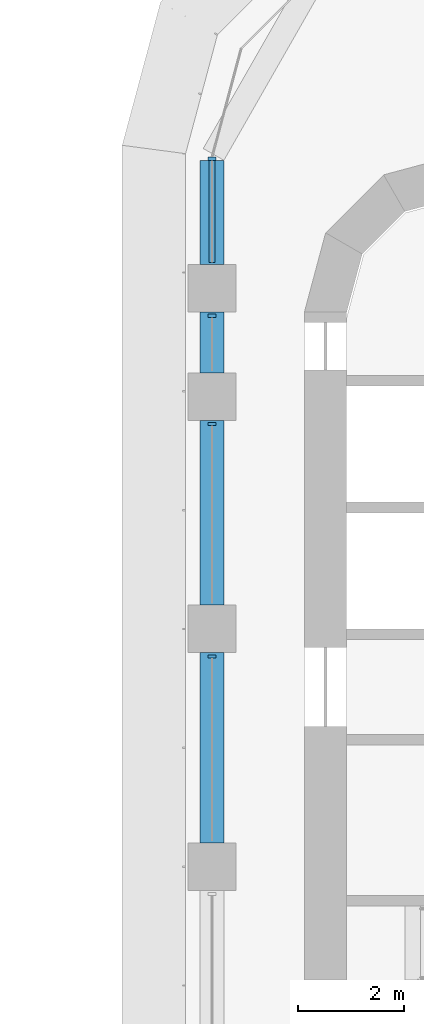
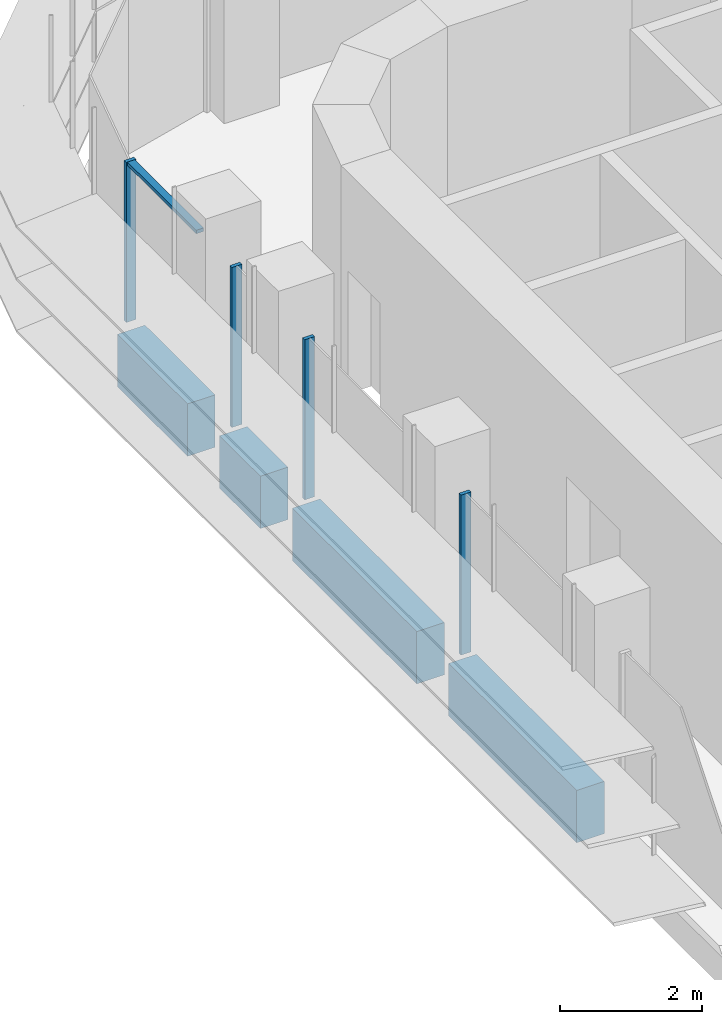
# One storey, part 7 of 23: 5 members, 4 beams, 1 element without a shape of its own.
"""IFC4 building model written with IfcOpenShell, lengths in metres."""

from ifc_helpers import new_model, si_unit, direction, frame, origin, origin_2d, place, context, subcontext, project, spatial, polyline, rectangle, outline, extrude, source, transform, mapped, material, material_profile, profile_set, type_object, element, aggregate, save


model = new_model("IFC4")

# Units and contexts
model_context = context("Model", 3, precision=1e-05, world=origin(), true_north=direction((0.0, 1.0)))
body_context = subcontext(model_context, "Body", "Model", "MODEL_VIEW")
ifc_project = project(units=[si_unit("LENGTHUNIT", "METRE"), si_unit("AREAUNIT", "SQUARE_METRE"), si_unit("VOLUMEUNIT", "CUBIC_METRE"), si_unit("PLANEANGLEUNIT", "RADIAN"), si_unit("MASSUNIT", "GRAM", prefix="KILO")], contexts=[model_context])

# Site, building, storey
site_placement = place(None, origin())
site = spatial("IfcSite", under=ifc_project, at=site_placement, CompositionType="ELEMENT")
building_placement = place(site_placement, origin())
building = spatial("IfcBuilding", under=site, at=building_placement, Name="Zarbagh Exchange Tower", CompositionType="ELEMENT")
storey_placement = place(building_placement, frame((0.0, 0.0, 90.39990234375)))
storey = spatial("IfcBuildingStorey", under=building, at=storey_placement, Name="L20", CompositionType="ELEMENT", Elevation=90.39990234375)

# Beams
ifc_material_1 = material(Name="Concrete C60/75", Category="concrete")
ifc_material_profile = material_profile(ifc_material_1, rectangle(XDim=0.449951171875, YDim=0.89990234375, at=origin_2d()), Name="RC spandrel beam 450 x 900 C60/75")
ifc_profile_set = profile_set([ifc_material_profile], Name="Concrete C60/75")
beam_type = type_object("IfcBeamType", Name="RC spandrel beam 450 x 900 C60/75", PredefinedType="SPANDREL", material=ifc_profile_set)
beam_1_placement = place(storey_placement, frame((-6.25, 16.199951171875, -0.599853515625), z_axis=(0.0, 1.0, 0.0), x_axis=(-1.0, 0.0, 0.0)))
element("IfcBeam", 1, at=beam_1_placement, inside=storey, type_object=beam_type, Name="RC spandrel beam", PredefinedType="SPANDREL", context=body_context, shape_type="SweptSolid", body=[
    extrude(rectangle(XDim=0.449951171875, YDim=0.89990234375, at=origin_2d()), origin(), (0.0, 0.0, 1.0), 3.60009765625),
])
beam_2_placement = place(storey_placement, frame((-6.25, 20.699951171875, -0.599853515625), z_axis=(0.0, 1.0, 0.0), x_axis=(-1.0, 0.0, 0.0)))
element("IfcBeam", 2, at=beam_2_placement, inside=storey, type_object=beam_type, Name="RC spandrel beam", PredefinedType="SPANDREL", context=body_context, shape_type="SweptSolid", body=[
    extrude(rectangle(XDim=0.449951171875, YDim=0.89990234375, at=origin_2d()), origin(), (0.0, 0.0, 1.0), 3.5),
])
beam_3_placement = place(storey_placement, frame((-6.25, 25.10009765625, -0.599853515625), z_axis=(0.0, 1.0, 0.0), x_axis=(-1.0, 0.0, 0.0)))
element("IfcBeam", 3, at=beam_3_placement, inside=storey, type_object=beam_type, Name="RC spandrel beam", PredefinedType="SPANDREL", context=body_context, shape_type="SweptSolid", body=[
    extrude(rectangle(XDim=0.449951171875, YDim=0.89990234375, at=origin_2d()), origin(), (0.0, 0.0, 1.0), 1.14990234375),
])
beam_4_placement = place(storey_placement, frame((-6.25, 27.14990234375, -0.599853515625), z_axis=(0.0, 1.0, 0.0), x_axis=(-1.0, 0.0, 0.0)))
element("IfcBeam", 4, at=beam_4_placement, inside=storey, type_object=beam_type, Name="RC spandrel beam", PredefinedType="SPANDREL", context=body_context, shape_type="SweptSolid", body=[
    extrude(rectangle(XDim=0.449951171875, YDim=0.89990234375, at=origin_2d()), origin(), (0.0, 0.0, 1.0), 1.974609375),
])

# Curtain wall, members
ifc_material_2 = material(Name="Anodised aluminium frame and glazing", Category="aluminium")
curtain_wall_type = type_object("IfcCurtainWallType", Name="CWA Ribbon glazing, lower zones", PredefinedType="NOTDEFINED", material=ifc_material_2)
curtain_wall_placement = place(storey_placement, origin())
curtain_wall = element("IfcCurtainWall", 5, at=curtain_wall_placement, inside=storey, type_object=curtain_wall_type, Name="CWA28 curtain wall", PredefinedType="NOTDEFINED")
ifc_material_3 = material(Name="Anodised aluminium frame", Category="aluminium")
member_type_1 = type_object("IfcMemberType", Name="MUA Mullion, anodised aluminium frame", PredefinedType="MULLION", material=ifc_material_3)
shared_shape_1 = source(origin(), body_context, "Body", "SweptSolid", [
    extrude(outline(polyline([(0.0, -0.080078125), (0.06005859375, -0.080078125), (0.06005859375, 0.080078125), (0.0, 0.080078125), (0.0, -0.080078125)])), origin(), (0.0, 0.0, 1.0), 2.75),
])
placement = place(storey_placement, origin())
member_1 = element("IfcMember", 6, at=placement, type_object=member_type_1, Name="CWA28 mullion 1.1", PredefinedType="MULLION", context=body_context, shape_type="MappedRepresentation", body=[
    mapped(shared_shape_1, transform((-6.25, 29.18408203125, 0.0), x_axis=(0.0, -1.0, 0.0), y_axis=(1.0, 0.0, 0.0), z_axis=(0.0, 0.0, 1.0))),
])
member_2 = element("IfcMember", 7, at=placement, type_object=member_type_1, Name="CWA28 mullion 2.1", PredefinedType="MULLION", context=body_context, shape_type="MappedRepresentation", body=[
    mapped(shared_shape_1, transform((-6.25, 26.2099609375, 0.0), x_axis=(0.0, -1.0, 0.0), y_axis=(1.0, 0.0, 0.0), z_axis=(0.0, 0.0, 1.0))),
])
member_3 = element("IfcMember", 8, at=placement, type_object=member_type_1, Name="CWA28 mullion 3.1", PredefinedType="MULLION", context=body_context, shape_type="MappedRepresentation", body=[
    mapped(shared_shape_1, transform((-6.25, 24.159912109375, 0.0), x_axis=(0.0, -1.0, 0.0), y_axis=(1.0, 0.0, 0.0), z_axis=(0.0, 0.0, 1.0))),
])
member_4 = element("IfcMember", 9, at=placement, type_object=member_type_1, Name="CWA28 mullion 4.1", PredefinedType="MULLION", context=body_context, shape_type="MappedRepresentation", body=[
    mapped(shared_shape_1, transform((-6.25, 19.760009765625, 0.0), x_axis=(0.0, -1.0, 0.0), y_axis=(1.0, 0.0, 0.0), z_axis=(0.0, 0.0, 1.0))),
])
member_type_2 = type_object("IfcMemberType", Name="TRA Transom, anodised aluminium frame", PredefinedType="USERDEFINED", material=ifc_material_3)
shared_shape_2 = source(origin(), body_context, "Body", "SweptSolid", [
    extrude(outline(polyline([(-0.06005859375, -0.06005859375), (0.0, -0.06005859375), (0.0, 0.06005859375), (-0.06005859375, 0.06005859375), (-0.06005859375, -0.06005859375)])), origin(), (0.0, 0.0, 1.0), 1.93408203125),
])
member_5 = element("IfcMember", 10, at=placement, type_object=member_type_2, Name="CWA28 transom 1.1", ObjectType="TRANSOM", PredefinedType="USERDEFINED", context=body_context, shape_type="MappedRepresentation", body=[
    mapped(shared_shape_2, transform((-6.25, 29.124267578125, 2.75), x_axis=(0.0, 0.0, 1.0), y_axis=(-1.0, 0.0, 0.0), z_axis=(0.0, -1.0, 0.0))),
])
aggregate(curtain_wall, [member_1, member_5, member_2, member_3, member_4])

save(model, "model.ifc")
